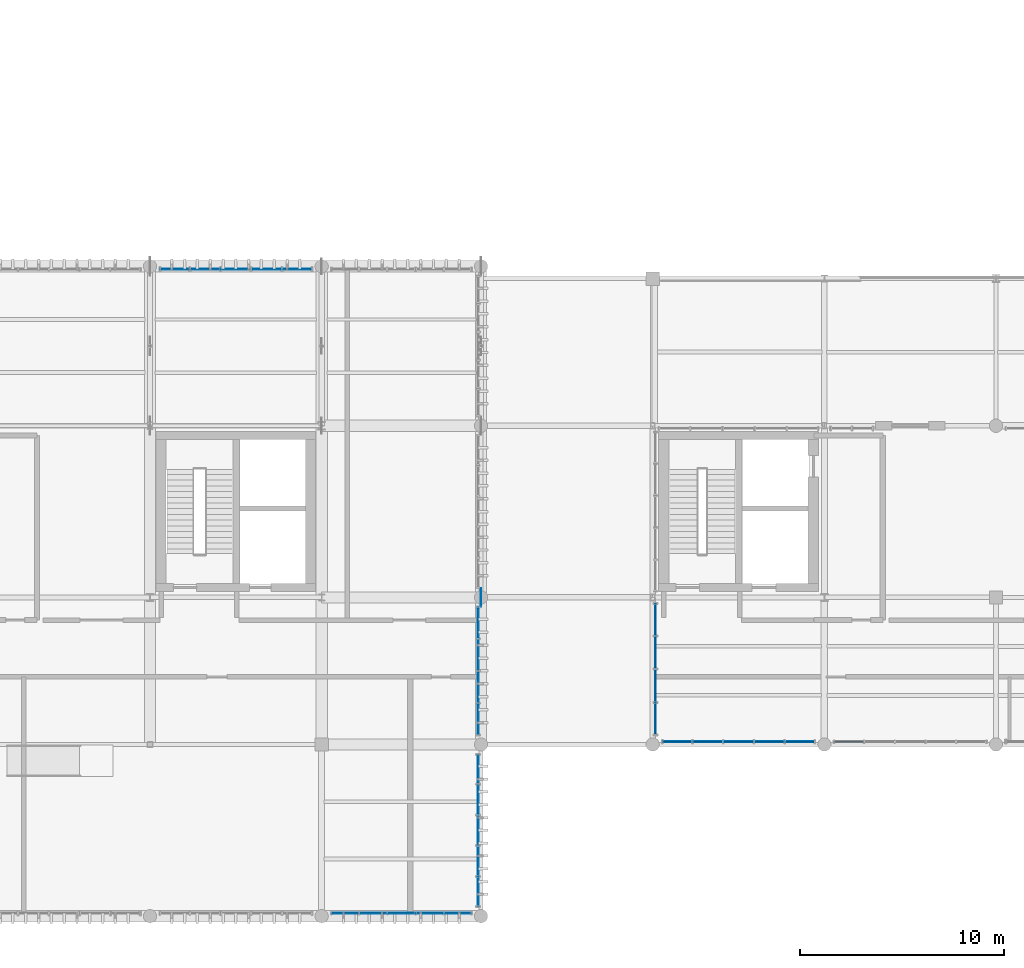
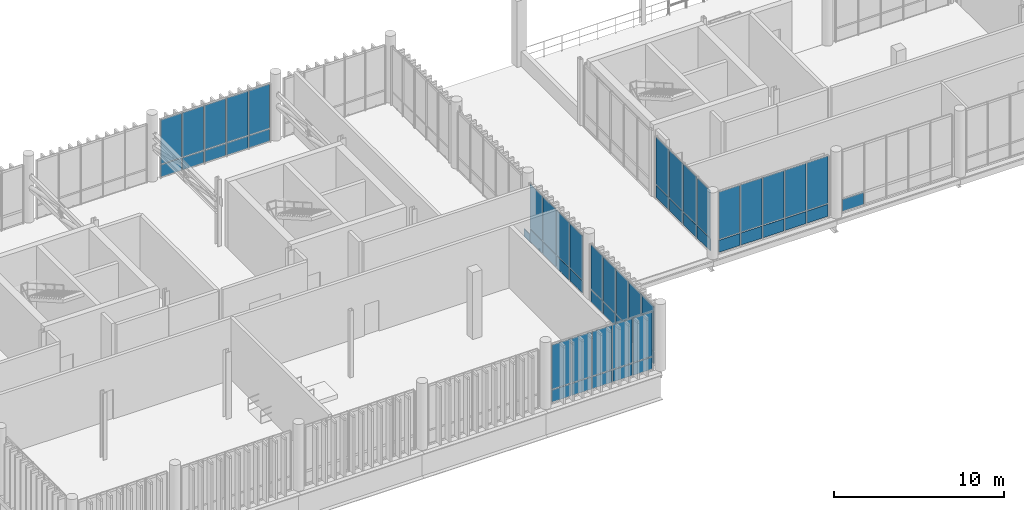
# One storey, part 61 of 81: 58 plates, 7 elements without a shape of their own.
"""IFC4 building model written with IfcOpenShell, lengths in metres."""

from ifc_helpers import new_model, si_unit, direction, frame, frame_2d, origin_with_axes, origin_2d_with_axis, place, context, subcontext, project, spatial, rectangle, extrude, material, layer, layer_set, type_object, element, aggregate, save


model = new_model("IFC4")

# Units and contexts
model_context = context("Model", 3, precision=1e-05, world=origin_with_axes(), true_north=direction((0.0, 1.0)))
body_context = subcontext(model_context, "Body", "Model", "MODEL_VIEW")
ifc_project = project(units=[si_unit("LENGTHUNIT", "METRE"), si_unit("AREAUNIT", "SQUARE_METRE"), si_unit("VOLUMEUNIT", "CUBIC_METRE"), si_unit("PLANEANGLEUNIT", "RADIAN"), si_unit("MASSUNIT", "GRAM", prefix="KILO"), si_unit("THERMODYNAMICTEMPERATUREUNIT", "KELVIN")], contexts=[model_context])

# Site, building, storey
site_placement = place(None, origin_with_axes())
site = spatial("IfcSite", under=ifc_project, at=site_placement, CompositionType="ELEMENT")
building_placement = place(site_placement, origin_with_axes())
building = spatial("IfcBuilding", under=site, at=building_placement, Name="Montbau Bow Law Courts", CompositionType="ELEMENT")
storey_placement = place(building_placement, frame((0.0, 0.0, 24.9), z_axis=(0.0, 0.0, 1.0), x_axis=(1.0, 0.0, 0.0)))
storey = spatial("IfcBuildingStorey", under=building, at=storey_placement, Name="L05", CompositionType="ELEMENT", Elevation=24.9)

# Curtain wall, plates
ifc_material_1 = material(Name="Thermally Broken Extruded Aluminium AA 6063-T6", Category="aluminium")
curtain_wall_type_1 = type_object("IfcCurtainWallType", Name="CW-TRC-02", PredefinedType="NOTDEFINED", material=ifc_material_1)
curtain_wall_1_placement = place(None, frame((39.44, 30.74, 24.9), z_axis=(0.0, 0.0, 1.0), x_axis=(1.0, 0.0, 0.0)))
curtain_wall_1 = element("IfcCurtainWall", 1, at=curtain_wall_1_placement, inside=storey, type_object=curtain_wall_type_1, Name="CW-L05-080:cw_0080", PredefinedType="NOTDEFINED")
ifc_material_2 = material(Name="Triple-Glazed Low-E Argon Insulating Glass Unit", Category="glass")
ifc_layer_1 = layer(ifc_material_2, 0.044, Name="Curtain Panel", Category="glass")
ifc_layer_set_1 = layer_set([ifc_layer_1], Name="Triple-Glazed Low-E Argon Insulating Glass Unit")
plate_type_1 = type_object("IfcPlateType", Name="PL-CWP-01", PredefinedType="CURTAIN_PANEL", material=ifc_layer_set_1)
plate_1_placement = place(None, frame((39.502, 30.74, 25.882), z_axis=(0.0, -1.0, 0.0), x_axis=(1.0, 0.0, 0.0)))
plate_1 = element("IfcPlate", 2, at=plate_1_placement, type_object=plate_type_1, Name="CW-L05-080-P01-2:cw_0080_P01_2", PredefinedType="CURTAIN_PANEL", context=body_context, shape_type="SweptSolid", body=[
    extrude(rectangle(XDim=1.29, YDim=3.176, at=frame_2d((0.645, 1.588), x_axis=(1.0, 0.0))), frame((0.0, 0.0, -0.022), z_axis=(0.0, 0.0, 1.0), x_axis=(1.0, 0.0, 0.0)), (0.0, 0.0, 1.0), 0.044),
])
plate_2_placement = place(None, frame((40.856, 30.74, 25.882), z_axis=(0.0, -1.0, 0.0), x_axis=(1.0, 0.0, 0.0)))
plate_2 = element("IfcPlate", 3, at=plate_2_placement, type_object=plate_type_1, Name="CW-L05-080-P02-2:cw_0080_P02_2", PredefinedType="CURTAIN_PANEL", context=body_context, shape_type="SweptSolid", body=[
    extrude(rectangle(XDim=1.32, YDim=3.176, at=frame_2d((0.66, 1.588), x_axis=(1.0, 0.0))), frame((0.0, 0.0, -0.022), z_axis=(0.0, 0.0, 1.0), x_axis=(1.0, 0.0, 0.0)), (0.0, 0.0, 1.0), 0.044),
])
plate_3_placement = place(None, frame((42.24, 30.74, 25.882), z_axis=(0.0, -1.0, 0.0), x_axis=(1.0, 0.0, 0.0)))
plate_3 = element("IfcPlate", 4, at=plate_3_placement, type_object=plate_type_1, Name="CW-L05-080-P03-2:cw_0080_P03_2", PredefinedType="CURTAIN_PANEL", context=body_context, shape_type="SweptSolid", body=[
    extrude(rectangle(XDim=1.32, YDim=3.176, at=frame_2d((0.66, 1.588), x_axis=(1.0, 0.0))), frame((0.0, 0.0, -0.022), z_axis=(0.0, 0.0, 1.0), x_axis=(1.0, 0.0, 0.0)), (0.0, 0.0, 1.0), 0.044),
])
plate_4_placement = place(None, frame((43.624, 30.74, 25.882), z_axis=(0.0, -1.0, 0.0), x_axis=(1.0, 0.0, 0.0)))
plate_4 = element("IfcPlate", 5, at=plate_4_placement, type_object=plate_type_1, Name="CW-L05-080-P04-2:cw_0080_P04_2", PredefinedType="CURTAIN_PANEL", context=body_context, shape_type="SweptSolid", body=[
    extrude(rectangle(XDim=1.32, YDim=3.176, at=frame_2d((0.66, 1.588), x_axis=(1.0, 0.0))), frame((0.0, 0.0, -0.022), z_axis=(0.0, 0.0, 1.0), x_axis=(1.0, 0.0, 0.0)), (0.0, 0.0, 1.0), 0.044),
])
plate_5_placement = place(None, frame((45.008, 30.74, 25.882), z_axis=(0.0, -1.0, 0.0), x_axis=(1.0, 0.0, 0.0)))
plate_5 = element("IfcPlate", 6, at=plate_5_placement, type_object=plate_type_1, Name="CW-L05-080-P05-2:cw_0080_P05_2", PredefinedType="CURTAIN_PANEL", context=body_context, shape_type="SweptSolid", body=[
    extrude(rectangle(XDim=1.29, YDim=3.176, at=frame_2d((0.645, 1.588), x_axis=(1.0, 0.0))), frame((0.0, 0.0, -0.022), z_axis=(0.0, 0.0, 1.0), x_axis=(1.0, 0.0, 0.0)), (0.0, 0.0, 1.0), 0.044),
])

curtain_wall_2_placement = place(None, frame((31.04, 62.26, 24.9), z_axis=(0.0, 0.0, 1.0), x_axis=(1.0, 0.0, 0.0)))
curtain_wall_2 = element("IfcCurtainWall", 7, at=curtain_wall_2_placement, inside=storey, type_object=curtain_wall_type_1, Name="CW-L05-084:cw_0084", PredefinedType="NOTDEFINED")
plate_6_placement = place(None, frame((31.116, 62.26, 25.882), z_axis=(0.0, -1.0, 0.0), x_axis=(1.0, 0.0, 0.0)))
plate_6 = element("IfcPlate", 8, at=plate_6_placement, type_object=plate_type_1, Name="CW-L05-084-P01-2:cw_0084_P01_2", PredefinedType="CURTAIN_PANEL", context=body_context, shape_type="SweptSolid", body=[
    extrude(rectangle(XDim=1.388, YDim=3.176, at=frame_2d((0.694, 1.588), x_axis=(1.0, 0.0))), frame((0.0, 0.0, -0.022), z_axis=(0.0, 0.0, 1.0), x_axis=(1.0, 0.0, 0.0)), (0.0, 0.0, 1.0), 0.044),
])
plate_7_placement = place(None, frame((32.584, 62.26, 25.882), z_axis=(0.0, -1.0, 0.0), x_axis=(1.0, 0.0, 0.0)))
plate_7 = element("IfcPlate", 9, at=plate_7_placement, type_object=plate_type_1, Name="CW-L05-084-P02-2:cw_0084_P02_2", PredefinedType="CURTAIN_PANEL", context=body_context, shape_type="SweptSolid", body=[
    extrude(rectangle(XDim=1.425, YDim=3.176, at=frame_2d((0.7125, 1.588), x_axis=(1.0, 0.0))), frame((0.0, 0.0, -0.022), z_axis=(0.0, 0.0, 1.0), x_axis=(1.0, 0.0, 0.0)), (0.0, 0.0, 1.0), 0.044),
])
plate_8_placement = place(None, frame((34.087, 62.26, 25.882), z_axis=(0.0, -1.0, 0.0), x_axis=(1.0, 0.0, 0.0)))
plate_8 = element("IfcPlate", 10, at=plate_8_placement, type_object=plate_type_1, Name="CW-L05-084-P03-2:cw_0084_P03_2", PredefinedType="CURTAIN_PANEL", context=body_context, shape_type="SweptSolid", body=[
    extrude(rectangle(XDim=1.426, YDim=3.176, at=frame_2d((0.713, 1.588), x_axis=(1.0, 0.0))), frame((0.0, 0.0, -0.022), z_axis=(0.0, 0.0, 1.0), x_axis=(1.0, 0.0, 0.0)), (0.0, 0.0, 1.0), 0.044),
])
plate_9_placement = place(None, frame((35.591, 62.26, 25.882), z_axis=(0.0, -1.0, 0.0), x_axis=(1.0, 0.0, 0.0)))
plate_9 = element("IfcPlate", 11, at=plate_9_placement, type_object=plate_type_1, Name="CW-L05-084-P04-2:cw_0084_P04_2", PredefinedType="CURTAIN_PANEL", context=body_context, shape_type="SweptSolid", body=[
    extrude(rectangle(XDim=1.426, YDim=3.176, at=frame_2d((0.713, 1.588), x_axis=(1.0, 0.0))), frame((0.0, 0.0, -0.022), z_axis=(0.0, 0.0, 1.0), x_axis=(1.0, 0.0, 0.0)), (0.0, 0.0, 1.0), 0.044),
])
plate_10_placement = place(None, frame((37.095, 62.26, 25.882), z_axis=(0.0, -1.0, 0.0), x_axis=(1.0, 0.0, 0.0)))
plate_10 = element("IfcPlate", 12, at=plate_10_placement, type_object=plate_type_1, Name="CW-L05-084-P05-2:cw_0084_P05_2", PredefinedType="CURTAIN_PANEL", context=body_context, shape_type="SweptSolid", body=[
    extrude(rectangle(XDim=1.389, YDim=3.176, at=frame_2d((0.6945, 1.588), x_axis=(1.0, 0.0))), frame((0.0, 0.0, -0.022), z_axis=(0.0, 0.0, 1.0), x_axis=(1.0, 0.0, 0.0)), (0.0, 0.0, 1.0), 0.044),
])

curtain_wall_3_placement = place(None, frame((46.66, 31.04, 24.9), z_axis=(0.0, 0.0, 1.0), x_axis=(1.0, 0.0, 0.0)))
curtain_wall_3 = element("IfcCurtainWall", 13, at=curtain_wall_3_placement, inside=storey, type_object=curtain_wall_type_1, Name="CW-L05-090:cw_0090", PredefinedType="NOTDEFINED")
plate_11_placement = place(None, frame((46.66, 31.116, 25.882), z_axis=(1.0, 0.0, 0.0), x_axis=(0.0, 1.0, 0.0)))
plate_11 = element("IfcPlate", 14, at=plate_11_placement, type_object=plate_type_1, Name="CW-L05-090-P01-2:cw_0090_P01_2", PredefinedType="CURTAIN_PANEL", context=body_context, shape_type="SweptSolid", body=[
    extrude(rectangle(XDim=1.388, YDim=3.176, at=frame_2d((0.694, 1.588), x_axis=(1.0, 0.0))), frame((0.0, 0.0, -0.022), z_axis=(0.0, 0.0, 1.0), x_axis=(1.0, 0.0, 0.0)), (0.0, 0.0, 1.0), 0.044),
])
plate_12_placement = place(None, frame((46.66, 32.584, 25.882), z_axis=(1.0, 0.0, 0.0), x_axis=(0.0, 1.0, 0.0)))
plate_12 = element("IfcPlate", 15, at=plate_12_placement, type_object=plate_type_1, Name="CW-L05-090-P02-2:cw_0090_P02_2", PredefinedType="CURTAIN_PANEL", context=body_context, shape_type="SweptSolid", body=[
    extrude(rectangle(XDim=1.425, YDim=3.176, at=frame_2d((0.7125, 1.588), x_axis=(1.0, 0.0))), frame((0.0, 0.0, -0.022), z_axis=(0.0, 0.0, 1.0), x_axis=(1.0, 0.0, 0.0)), (0.0, 0.0, 1.0), 0.044),
])
plate_13_placement = place(None, frame((46.66, 34.087, 25.882), z_axis=(1.0, 0.0, 0.0), x_axis=(0.0, 1.0, 0.0)))
plate_13 = element("IfcPlate", 16, at=plate_13_placement, type_object=plate_type_1, Name="CW-L05-090-P03-2:cw_0090_P03_2", PredefinedType="CURTAIN_PANEL", context=body_context, shape_type="SweptSolid", body=[
    extrude(rectangle(XDim=1.426, YDim=3.176, at=frame_2d((0.713, 1.588), x_axis=(1.0, 0.0))), frame((0.0, 0.0, -0.022), z_axis=(0.0, 0.0, 1.0), x_axis=(1.0, 0.0, 0.0)), (0.0, 0.0, 1.0), 0.044),
])
plate_14_placement = place(None, frame((46.66, 35.591, 25.882), z_axis=(1.0, 0.0, 0.0), x_axis=(0.0, 1.0, 0.0)))
plate_14 = element("IfcPlate", 17, at=plate_14_placement, type_object=plate_type_1, Name="CW-L05-090-P04-2:cw_0090_P04_2", PredefinedType="CURTAIN_PANEL", context=body_context, shape_type="SweptSolid", body=[
    extrude(rectangle(XDim=1.426, YDim=3.176, at=frame_2d((0.713, 1.588), x_axis=(1.0, 0.0))), frame((0.0, 0.0, -0.022), z_axis=(0.0, 0.0, 1.0), x_axis=(1.0, 0.0, 0.0)), (0.0, 0.0, 1.0), 0.044),
])
plate_15_placement = place(None, frame((46.66, 37.095, 25.882), z_axis=(1.0, 0.0, 0.0), x_axis=(0.0, 1.0, 0.0)))
plate_15 = element("IfcPlate", 18, at=plate_15_placement, type_object=plate_type_1, Name="CW-L05-090-P05-2:cw_0090_P05_2", PredefinedType="CURTAIN_PANEL", context=body_context, shape_type="SweptSolid", body=[
    extrude(rectangle(XDim=1.389, YDim=3.176, at=frame_2d((0.6945, 1.588), x_axis=(1.0, 0.0))), frame((0.0, 0.0, -0.022), z_axis=(0.0, 0.0, 1.0), x_axis=(1.0, 0.0, 0.0)), (0.0, 0.0, 1.0), 0.044),
])

curtain_wall_4_placement = place(None, frame((46.66, 39.44, 24.9), z_axis=(0.0, 0.0, 1.0), x_axis=(1.0, 0.0, 0.0)))
curtain_wall_4 = element("IfcCurtainWall", 19, at=curtain_wall_4_placement, inside=storey, type_object=curtain_wall_type_1, Name="CW-L05-091:cw_0091", PredefinedType="NOTDEFINED")
plate_16_placement = place(None, frame((46.66, 39.508, 25.88), z_axis=(1.0, 0.0, 0.0), x_axis=(0.0, 1.0, 0.0)))
plate_16 = element("IfcPlate", 20, at=plate_16_placement, type_object=plate_type_1, Name="CW-L05-091-P01-2:cw_0091_P01_2", PredefinedType="CURTAIN_PANEL", context=body_context, shape_type="SweptSolid", body=[
    extrude(rectangle(XDim=1.478, YDim=3.184, at=frame_2d((0.739, 1.592), x_axis=(1.0, 0.0))), frame((0.0, 0.0, -0.022), z_axis=(0.0, 0.0, 1.0), x_axis=(1.0, 0.0, 0.0)), (0.0, 0.0, 1.0), 0.044),
])
plate_17_placement = place(None, frame((46.66, 41.055, 25.88), z_axis=(1.0, 0.0, 0.0), x_axis=(0.0, 1.0, 0.0)))
plate_17 = element("IfcPlate", 21, at=plate_17_placement, type_object=plate_type_1, Name="CW-L05-091-P02-2:cw_0091_P02_2", PredefinedType="CURTAIN_PANEL", context=body_context, shape_type="SweptSolid", body=[
    extrude(rectangle(XDim=1.511, YDim=3.184, at=frame_2d((0.7555, 1.592), x_axis=(1.0, 0.0))), frame((0.0, 0.0, -0.022), z_axis=(0.0, 0.0, 1.0), x_axis=(1.0, 0.0, 0.0)), (0.0, 0.0, 1.0), 0.044),
])
plate_18_placement = place(None, frame((46.66, 42.635, 25.88), z_axis=(1.0, 0.0, 0.0), x_axis=(0.0, 1.0, 0.0)))
plate_18 = element("IfcPlate", 22, at=plate_18_placement, type_object=plate_type_1, Name="CW-L05-091-P03-2:cw_0091_P03_2", PredefinedType="CURTAIN_PANEL", context=body_context, shape_type="SweptSolid", body=[
    extrude(rectangle(XDim=1.511, YDim=3.184, at=frame_2d((0.7555, 1.592), x_axis=(1.0, 0.0))), frame((0.0, 0.0, -0.022), z_axis=(0.0, 0.0, 1.0), x_axis=(1.0, 0.0, 0.0)), (0.0, 0.0, 1.0), 0.044),
])
plate_19_placement = place(None, frame((46.66, 44.214, 25.88), z_axis=(1.0, 0.0, 0.0), x_axis=(0.0, 1.0, 0.0)))
plate_19 = element("IfcPlate", 23, at=plate_19_placement, type_object=plate_type_1, Name="CW-L05-091-P04-2:cw_0091_P04_2", PredefinedType="CURTAIN_PANEL", context=body_context, shape_type="SweptSolid", body=[
    extrude(rectangle(XDim=1.48, YDim=3.184, at=frame_2d((0.74, 1.592), x_axis=(1.0, 0.0))), frame((0.0, 0.0, -0.022), z_axis=(0.0, 0.0, 1.0), x_axis=(1.0, 0.0, 0.0)), (0.0, 0.0, 1.0), 0.044),
])

# Plate
ifc_material_3 = material(Name="Insulated Ceramic-Frit Spandrel Glazing Unit", Category="glass")
ifc_layer_2 = layer(ifc_material_3, 0.056, Name="Curtain Panel", Category="glass")
ifc_layer_set_2 = layer_set([ifc_layer_2], Name="Insulated Ceramic-Frit Spandrel Glazing Unit")
plate_type_2 = type_object("IfcPlateType", Name="PL-CWP-02", PredefinedType="CURTAIN_PANEL", material=ifc_layer_set_2)
plate_20_placement = place(None, frame((39.502, 30.74, 24.962), z_axis=(0.0, -1.0, 0.0), x_axis=(1.0, 0.0, 0.0)))
plate_20 = element("IfcPlate", 24, at=plate_20_placement, type_object=plate_type_2, Name="CW-L05-080-P01-1:cw_0080_P01_1", PredefinedType="CURTAIN_PANEL", context=body_context, shape_type="SweptSolid", body=[
    extrude(rectangle(XDim=1.29, YDim=0.856, at=frame_2d((0.645, 0.428), x_axis=(1.0, 0.0))), frame((0.0, 0.0, -0.028), z_axis=(0.0, 0.0, 1.0), x_axis=(1.0, 0.0, 0.0)), (0.0, 0.0, 1.0), 0.056),
])

plate_21_placement = place(None, frame((40.856, 30.74, 24.962), z_axis=(0.0, -1.0, 0.0), x_axis=(1.0, 0.0, 0.0)))
plate_21 = element("IfcPlate", 25, at=plate_21_placement, type_object=plate_type_2, Name="CW-L05-080-P02-1:cw_0080_P02_1", PredefinedType="CURTAIN_PANEL", context=body_context, shape_type="SweptSolid", body=[
    extrude(rectangle(XDim=1.32, YDim=0.856, at=frame_2d((0.66, 0.428), x_axis=(1.0, 0.0))), frame((0.0, 0.0, -0.028), z_axis=(0.0, 0.0, 1.0), x_axis=(1.0, 0.0, 0.0)), (0.0, 0.0, 1.0), 0.056),
])

plate_22_placement = place(None, frame((42.24, 30.74, 24.962), z_axis=(0.0, -1.0, 0.0), x_axis=(1.0, 0.0, 0.0)))
plate_22 = element("IfcPlate", 26, at=plate_22_placement, type_object=plate_type_2, Name="CW-L05-080-P03-1:cw_0080_P03_1", PredefinedType="CURTAIN_PANEL", context=body_context, shape_type="SweptSolid", body=[
    extrude(rectangle(XDim=1.32, YDim=0.856, at=frame_2d((0.66, 0.428), x_axis=(1.0, 0.0))), frame((0.0, 0.0, -0.028), z_axis=(0.0, 0.0, 1.0), x_axis=(1.0, 0.0, 0.0)), (0.0, 0.0, 1.0), 0.056),
])

plate_23_placement = place(None, frame((43.624, 30.74, 24.962), z_axis=(0.0, -1.0, 0.0), x_axis=(1.0, 0.0, 0.0)))
plate_23 = element("IfcPlate", 27, at=plate_23_placement, type_object=plate_type_2, Name="CW-L05-080-P04-1:cw_0080_P04_1", PredefinedType="CURTAIN_PANEL", context=body_context, shape_type="SweptSolid", body=[
    extrude(rectangle(XDim=1.32, YDim=0.856, at=frame_2d((0.66, 0.428), x_axis=(1.0, 0.0))), frame((0.0, 0.0, -0.028), z_axis=(0.0, 0.0, 1.0), x_axis=(1.0, 0.0, 0.0)), (0.0, 0.0, 1.0), 0.056),
])

plate_24_placement = place(None, frame((45.008, 30.74, 24.962), z_axis=(0.0, -1.0, 0.0), x_axis=(1.0, 0.0, 0.0)))
plate_24 = element("IfcPlate", 28, at=plate_24_placement, type_object=plate_type_2, Name="CW-L05-080-P05-1:cw_0080_P05_1", PredefinedType="CURTAIN_PANEL", context=body_context, shape_type="SweptSolid", body=[
    extrude(rectangle(XDim=1.29, YDim=0.856, at=frame_2d((0.645, 0.428), x_axis=(1.0, 0.0))), frame((0.0, 0.0, -0.028), z_axis=(0.0, 0.0, 1.0), x_axis=(1.0, 0.0, 0.0)), (0.0, 0.0, 1.0), 0.056),
])

aggregate(curtain_wall_1, [plate_20, plate_1, plate_21, plate_2, plate_22, plate_3, plate_23, plate_4, plate_24, plate_5])

plate_25_placement = place(None, frame((31.116, 62.26, 24.962), z_axis=(0.0, -1.0, 0.0), x_axis=(1.0, 0.0, 0.0)))
plate_25 = element("IfcPlate", 29, at=plate_25_placement, type_object=plate_type_2, Name="CW-L05-084-P01-1:cw_0084_P01_1", PredefinedType="CURTAIN_PANEL", context=body_context, shape_type="SweptSolid", body=[
    extrude(rectangle(XDim=1.388, YDim=0.856, at=frame_2d((0.694, 0.428), x_axis=(1.0, 0.0))), frame((0.0, 0.0, -0.028), z_axis=(0.0, 0.0, 1.0), x_axis=(1.0, 0.0, 0.0)), (0.0, 0.0, 1.0), 0.056),
])

plate_26_placement = place(None, frame((32.584, 62.26, 24.962), z_axis=(0.0, -1.0, 0.0), x_axis=(1.0, 0.0, 0.0)))
plate_26 = element("IfcPlate", 30, at=plate_26_placement, type_object=plate_type_2, Name="CW-L05-084-P02-1:cw_0084_P02_1", PredefinedType="CURTAIN_PANEL", context=body_context, shape_type="SweptSolid", body=[
    extrude(rectangle(XDim=1.425, YDim=0.856, at=frame_2d((0.7125, 0.428), x_axis=(1.0, 0.0))), frame((0.0, 0.0, -0.028), z_axis=(0.0, 0.0, 1.0), x_axis=(1.0, 0.0, 0.0)), (0.0, 0.0, 1.0), 0.056),
])

plate_27_placement = place(None, frame((34.087, 62.26, 24.962), z_axis=(0.0, -1.0, 0.0), x_axis=(1.0, 0.0, 0.0)))
plate_27 = element("IfcPlate", 31, at=plate_27_placement, type_object=plate_type_2, Name="CW-L05-084-P03-1:cw_0084_P03_1", PredefinedType="CURTAIN_PANEL", context=body_context, shape_type="SweptSolid", body=[
    extrude(rectangle(XDim=1.426, YDim=0.856, at=frame_2d((0.713, 0.428), x_axis=(1.0, 0.0))), frame((0.0, 0.0, -0.028), z_axis=(0.0, 0.0, 1.0), x_axis=(1.0, 0.0, 0.0)), (0.0, 0.0, 1.0), 0.056),
])

plate_28_placement = place(None, frame((35.591, 62.26, 24.962), z_axis=(0.0, -1.0, 0.0), x_axis=(1.0, 0.0, 0.0)))
plate_28 = element("IfcPlate", 32, at=plate_28_placement, type_object=plate_type_2, Name="CW-L05-084-P04-1:cw_0084_P04_1", PredefinedType="CURTAIN_PANEL", context=body_context, shape_type="SweptSolid", body=[
    extrude(rectangle(XDim=1.426, YDim=0.856, at=frame_2d((0.713, 0.428), x_axis=(1.0, 0.0))), frame((0.0, 0.0, -0.028), z_axis=(0.0, 0.0, 1.0), x_axis=(1.0, 0.0, 0.0)), (0.0, 0.0, 1.0), 0.056),
])

plate_29_placement = place(None, frame((37.095, 62.26, 24.962), z_axis=(0.0, -1.0, 0.0), x_axis=(1.0, 0.0, 0.0)))
plate_29 = element("IfcPlate", 33, at=plate_29_placement, type_object=plate_type_2, Name="CW-L05-084-P05-1:cw_0084_P05_1", PredefinedType="CURTAIN_PANEL", context=body_context, shape_type="SweptSolid", body=[
    extrude(rectangle(XDim=1.389, YDim=0.856, at=frame_2d((0.6945, 0.428), x_axis=(1.0, 0.0))), frame((0.0, 0.0, -0.028), z_axis=(0.0, 0.0, 1.0), x_axis=(1.0, 0.0, 0.0)), (0.0, 0.0, 1.0), 0.056),
])

aggregate(curtain_wall_2, [plate_25, plate_6, plate_26, plate_7, plate_27, plate_8, plate_28, plate_9, plate_29, plate_10])

plate_30_placement = place(None, frame((46.66, 31.116, 24.962), z_axis=(1.0, 0.0, 0.0), x_axis=(0.0, 1.0, 0.0)))
plate_30 = element("IfcPlate", 34, at=plate_30_placement, type_object=plate_type_2, Name="CW-L05-090-P01-1:cw_0090_P01_1", PredefinedType="CURTAIN_PANEL", context=body_context, shape_type="SweptSolid", body=[
    extrude(rectangle(XDim=1.388, YDim=0.856, at=frame_2d((0.694, 0.428), x_axis=(1.0, 0.0))), frame((0.0, 0.0, -0.028), z_axis=(0.0, 0.0, 1.0), x_axis=(1.0, 0.0, 0.0)), (0.0, 0.0, 1.0), 0.056),
])

plate_31_placement = place(None, frame((46.66, 32.584, 24.962), z_axis=(1.0, 0.0, 0.0), x_axis=(0.0, 1.0, 0.0)))
plate_31 = element("IfcPlate", 35, at=plate_31_placement, type_object=plate_type_2, Name="CW-L05-090-P02-1:cw_0090_P02_1", PredefinedType="CURTAIN_PANEL", context=body_context, shape_type="SweptSolid", body=[
    extrude(rectangle(XDim=1.425, YDim=0.856, at=frame_2d((0.7125, 0.428), x_axis=(1.0, 0.0))), frame((0.0, 0.0, -0.028), z_axis=(0.0, 0.0, 1.0), x_axis=(1.0, 0.0, 0.0)), (0.0, 0.0, 1.0), 0.056),
])

plate_32_placement = place(None, frame((46.66, 34.087, 24.962), z_axis=(1.0, 0.0, 0.0), x_axis=(0.0, 1.0, 0.0)))
plate_32 = element("IfcPlate", 36, at=plate_32_placement, type_object=plate_type_2, Name="CW-L05-090-P03-1:cw_0090_P03_1", PredefinedType="CURTAIN_PANEL", context=body_context, shape_type="SweptSolid", body=[
    extrude(rectangle(XDim=1.426, YDim=0.856, at=frame_2d((0.713, 0.428), x_axis=(1.0, 0.0))), frame((0.0, 0.0, -0.028), z_axis=(0.0, 0.0, 1.0), x_axis=(1.0, 0.0, 0.0)), (0.0, 0.0, 1.0), 0.056),
])

plate_33_placement = place(None, frame((46.66, 35.591, 24.962), z_axis=(1.0, 0.0, 0.0), x_axis=(0.0, 1.0, 0.0)))
plate_33 = element("IfcPlate", 37, at=plate_33_placement, type_object=plate_type_2, Name="CW-L05-090-P04-1:cw_0090_P04_1", PredefinedType="CURTAIN_PANEL", context=body_context, shape_type="SweptSolid", body=[
    extrude(rectangle(XDim=1.426, YDim=0.856, at=frame_2d((0.713, 0.428), x_axis=(1.0, 0.0))), frame((0.0, 0.0, -0.028), z_axis=(0.0, 0.0, 1.0), x_axis=(1.0, 0.0, 0.0)), (0.0, 0.0, 1.0), 0.056),
])

plate_34_placement = place(None, frame((46.66, 37.095, 24.962), z_axis=(1.0, 0.0, 0.0), x_axis=(0.0, 1.0, 0.0)))
plate_34 = element("IfcPlate", 38, at=plate_34_placement, type_object=plate_type_2, Name="CW-L05-090-P05-1:cw_0090_P05_1", PredefinedType="CURTAIN_PANEL", context=body_context, shape_type="SweptSolid", body=[
    extrude(rectangle(XDim=1.389, YDim=0.856, at=frame_2d((0.6945, 0.428), x_axis=(1.0, 0.0))), frame((0.0, 0.0, -0.028), z_axis=(0.0, 0.0, 1.0), x_axis=(1.0, 0.0, 0.0)), (0.0, 0.0, 1.0), 0.056),
])

aggregate(curtain_wall_3, [plate_30, plate_11, plate_31, plate_12, plate_32, plate_13, plate_33, plate_14, plate_34, plate_15])

plate_35_placement = place(None, frame((46.66, 39.508, 24.956), z_axis=(1.0, 0.0, 0.0), x_axis=(0.0, 1.0, 0.0)))
plate_35 = element("IfcPlate", 39, at=plate_35_placement, type_object=plate_type_2, Name="CW-L05-091-P01-1:cw_0091_P01_1", PredefinedType="CURTAIN_PANEL", context=body_context, shape_type="SweptSolid", body=[
    extrude(rectangle(XDim=1.478, YDim=0.865, at=frame_2d((0.739, 0.4325), x_axis=(1.0, 0.0))), frame((0.0, 0.0, -0.028), z_axis=(0.0, 0.0, 1.0), x_axis=(1.0, 0.0, 0.0)), (0.0, 0.0, 1.0), 0.056),
])

plate_36_placement = place(None, frame((46.66, 41.055, 24.956), z_axis=(1.0, 0.0, 0.0), x_axis=(0.0, 1.0, 0.0)))
plate_36 = element("IfcPlate", 40, at=plate_36_placement, type_object=plate_type_2, Name="CW-L05-091-P02-1:cw_0091_P02_1", PredefinedType="CURTAIN_PANEL", context=body_context, shape_type="SweptSolid", body=[
    extrude(rectangle(XDim=1.511, YDim=0.865, at=frame_2d((0.7555, 0.4325), x_axis=(1.0, 0.0))), frame((0.0, 0.0, -0.028), z_axis=(0.0, 0.0, 1.0), x_axis=(1.0, 0.0, 0.0)), (0.0, 0.0, 1.0), 0.056),
])

plate_37_placement = place(None, frame((46.66, 42.635, 24.956), z_axis=(1.0, 0.0, 0.0), x_axis=(0.0, 1.0, 0.0)))
plate_37 = element("IfcPlate", 41, at=plate_37_placement, type_object=plate_type_2, Name="CW-L05-091-P03-1:cw_0091_P03_1", PredefinedType="CURTAIN_PANEL", context=body_context, shape_type="SweptSolid", body=[
    extrude(rectangle(XDim=1.511, YDim=0.865, at=frame_2d((0.7555, 0.4325), x_axis=(1.0, 0.0))), frame((0.0, 0.0, -0.028), z_axis=(0.0, 0.0, 1.0), x_axis=(1.0, 0.0, 0.0)), (0.0, 0.0, 1.0), 0.056),
])

plate_38_placement = place(None, frame((46.66, 44.214, 24.956), z_axis=(1.0, 0.0, 0.0), x_axis=(0.0, 1.0, 0.0)))
plate_38 = element("IfcPlate", 42, at=plate_38_placement, type_object=plate_type_2, Name="CW-L05-091-P04-1:cw_0091_P04_1", PredefinedType="CURTAIN_PANEL", context=body_context, shape_type="SweptSolid", body=[
    extrude(rectangle(XDim=1.48, YDim=0.865, at=frame_2d((0.74, 0.4325), x_axis=(1.0, 0.0))), frame((0.0, 0.0, -0.028), z_axis=(0.0, 0.0, 1.0), x_axis=(1.0, 0.0, 0.0)), (0.0, 0.0, 1.0), 0.056),
])

aggregate(curtain_wall_4, [plate_35, plate_16, plate_36, plate_17, plate_37, plate_18, plate_38, plate_19])

# Curtain wall, plates
curtain_wall_type_2 = type_object("IfcCurtainWallType", Name="CW-NCK-02", PredefinedType="NOTDEFINED", material=ifc_material_1)
curtain_wall_5_placement = place(None, frame((55.64, 39.14, 24.9), z_axis=(0.0, 0.0, 1.0), x_axis=(1.0, 0.0, 0.0)))
curtain_wall_5 = element("IfcCurtainWall", 43, at=curtain_wall_5_placement, inside=storey, type_object=curtain_wall_type_2, Name="CW-L05-211:cw_0211", PredefinedType="NOTDEFINED")
plate_39_placement = place(None, frame((55.708, 39.14, 24.956), z_axis=(0.0, -1.0, 0.0), x_axis=(1.0, 0.0, 0.0)))
plate_39 = element("IfcPlate", 44, at=plate_39_placement, type_object=plate_type_2, Name="CW-L05-211-P01-1:cw_0211_P01_1", PredefinedType="CURTAIN_PANEL", context=body_context, shape_type="SweptSolid", body=[
    extrude(rectangle(XDim=1.402, YDim=0.865, at=frame_2d((0.701, 0.4325), x_axis=(1.0, 0.0))), frame((0.0, 0.0, -0.028), z_axis=(0.0, 0.0, 1.0), x_axis=(1.0, 0.0, 0.0)), (0.0, 0.0, 1.0), 0.056),
])
plate_40_placement = place(None, frame((57.178, 39.14, 24.956), z_axis=(0.0, -1.0, 0.0), x_axis=(1.0, 0.0, 0.0)))
plate_40 = element("IfcPlate", 45, at=plate_40_placement, type_object=plate_type_2, Name="CW-L05-211-P02-1:cw_0211_P02_1", PredefinedType="CURTAIN_PANEL", context=body_context, shape_type="SweptSolid", body=[
    extrude(rectangle(XDim=1.436, YDim=0.865, at=frame_2d((0.718, 0.4325), x_axis=(1.0, 0.0))), frame((0.0, 0.0, -0.028), z_axis=(0.0, 0.0, 1.0), x_axis=(1.0, 0.0, 0.0)), (0.0, 0.0, 1.0), 0.056),
])
plate_41_placement = place(None, frame((58.682, 39.14, 24.956), z_axis=(0.0, -1.0, 0.0), x_axis=(1.0, 0.0, 0.0)))
plate_41 = element("IfcPlate", 46, at=plate_41_placement, type_object=plate_type_2, Name="CW-L05-211-P03-1:cw_0211_P03_1", PredefinedType="CURTAIN_PANEL", context=body_context, shape_type="SweptSolid", body=[
    extrude(rectangle(XDim=1.436, YDim=0.865, at=frame_2d((0.718, 0.4325), x_axis=(1.0, 0.0))), frame((0.0, 0.0, -0.028), z_axis=(0.0, 0.0, 1.0), x_axis=(1.0, 0.0, 0.0)), (0.0, 0.0, 1.0), 0.056),
])
plate_42_placement = place(None, frame((60.186, 39.14, 24.956), z_axis=(0.0, -1.0, 0.0), x_axis=(1.0, 0.0, 0.0)))
plate_42 = element("IfcPlate", 47, at=plate_42_placement, type_object=plate_type_2, Name="CW-L05-211-P04-1:cw_0211_P04_1", PredefinedType="CURTAIN_PANEL", context=body_context, shape_type="SweptSolid", body=[
    extrude(rectangle(XDim=1.436, YDim=0.865, at=frame_2d((0.718, 0.4325), x_axis=(1.0, 0.0))), frame((0.0, 0.0, -0.028), z_axis=(0.0, 0.0, 1.0), x_axis=(1.0, 0.0, 0.0)), (0.0, 0.0, 1.0), 0.056),
])
plate_43_placement = place(None, frame((61.69, 39.14, 24.956), z_axis=(0.0, -1.0, 0.0), x_axis=(1.0, 0.0, 0.0)))
plate_43 = element("IfcPlate", 48, at=plate_43_placement, type_object=plate_type_2, Name="CW-L05-211-P05-1:cw_0211_P05_1", PredefinedType="CURTAIN_PANEL", context=body_context, shape_type="SweptSolid", body=[
    extrude(rectangle(XDim=1.403, YDim=0.865, at=frame_2d((0.7015, 0.4325), x_axis=(1.0, 0.0))), frame((0.0, 0.0, -0.028), z_axis=(0.0, 0.0, 1.0), x_axis=(1.0, 0.0, 0.0)), (0.0, 0.0, 1.0), 0.056),
])

# Curtain wall, plate
curtain_wall_6_placement = place(None, frame((64.04, 39.14, 24.9), z_axis=(0.0, 0.0, 1.0), x_axis=(1.0, 0.0, 0.0)))
curtain_wall_6 = element("IfcCurtainWall", 49, at=curtain_wall_6_placement, inside=storey, type_object=curtain_wall_type_2, Name="CW-L05-212:cw_0212", PredefinedType="NOTDEFINED")
plate_44_placement = place(None, frame((64.102, 39.14, 24.962), z_axis=(0.0, -1.0, 0.0), x_axis=(1.0, 0.0, 0.0)))
plate_44 = element("IfcPlate", 50, at=plate_44_placement, type_object=plate_type_2, Name="CW-L05-212-P01-1:cw_0212_P01_1", PredefinedType="CURTAIN_PANEL", context=body_context, shape_type="SweptSolid", body=[
    extrude(rectangle(XDim=1.41, YDim=0.856, at=frame_2d((0.705, 0.428), x_axis=(1.0, 0.0))), frame((0.0, 0.0, -0.028), z_axis=(0.0, 0.0, 1.0), x_axis=(1.0, 0.0, 0.0)), (0.0, 0.0, 1.0), 0.056),
])
aggregate(curtain_wall_6, [plate_44])

# Curtain wall, plates
curtain_wall_7_placement = place(None, frame((55.34, 39.44, 24.9), z_axis=(0.0, 0.0, 1.0), x_axis=(1.0, 0.0, 0.0)))
curtain_wall_7 = element("IfcCurtainWall", 51, at=curtain_wall_7_placement, inside=storey, type_object=curtain_wall_type_2, Name="CW-L05-219:cw_0219", PredefinedType="NOTDEFINED")
plate_45_placement = place(None, frame((55.34, 39.516, 24.956), z_axis=(1.0, 0.0, 0.0), x_axis=(0.0, 1.0, 0.0)))
plate_45 = element("IfcPlate", 52, at=plate_45_placement, type_object=plate_type_2, Name="CW-L05-219-P01-1:cw_0219_P01_1", PredefinedType="CURTAIN_PANEL", context=body_context, shape_type="SweptSolid", body=[
    extrude(rectangle(XDim=1.507, YDim=0.865, at=frame_2d((0.7535, 0.4325), x_axis=(1.0, 0.0))), frame((0.0, 0.0, -0.028), z_axis=(0.0, 0.0, 1.0), x_axis=(1.0, 0.0, 0.0)), (0.0, 0.0, 1.0), 0.056),
])
plate_46_placement = place(None, frame((55.34, 41.103, 24.956), z_axis=(1.0, 0.0, 0.0), x_axis=(0.0, 1.0, 0.0)))
plate_46 = element("IfcPlate", 53, at=plate_46_placement, type_object=plate_type_2, Name="CW-L05-219-P02-1:cw_0219_P02_1", PredefinedType="CURTAIN_PANEL", context=body_context, shape_type="SweptSolid", body=[
    extrude(rectangle(XDim=1.544, YDim=0.865, at=frame_2d((0.772, 0.4325), x_axis=(1.0, 0.0))), frame((0.0, 0.0, -0.028), z_axis=(0.0, 0.0, 1.0), x_axis=(1.0, 0.0, 0.0)), (0.0, 0.0, 1.0), 0.056),
])
plate_47_placement = place(None, frame((55.34, 42.725, 24.956), z_axis=(1.0, 0.0, 0.0), x_axis=(0.0, 1.0, 0.0)))
plate_47 = element("IfcPlate", 54, at=plate_47_placement, type_object=plate_type_2, Name="CW-L05-219-P03-1:cw_0219_P03_1", PredefinedType="CURTAIN_PANEL", context=body_context, shape_type="SweptSolid", body=[
    extrude(rectangle(XDim=1.545, YDim=0.865, at=frame_2d((0.7725, 0.4325), x_axis=(1.0, 0.0))), frame((0.0, 0.0, -0.028), z_axis=(0.0, 0.0, 1.0), x_axis=(1.0, 0.0, 0.0)), (0.0, 0.0, 1.0), 0.056),
])
plate_48_placement = place(None, frame((55.34, 44.348, 24.956), z_axis=(1.0, 0.0, 0.0), x_axis=(0.0, 1.0, 0.0)))
plate_48 = element("IfcPlate", 55, at=plate_48_placement, type_object=plate_type_2, Name="CW-L05-219-P04-1:cw_0219_P04_1", PredefinedType="CURTAIN_PANEL", context=body_context, shape_type="SweptSolid", body=[
    extrude(rectangle(XDim=1.508, YDim=0.865, at=frame_2d((0.754, 0.4325), x_axis=(1.0, 0.0))), frame((0.0, 0.0, -0.028), z_axis=(0.0, 0.0, 1.0), x_axis=(1.0, 0.0, 0.0)), (0.0, 0.0, 1.0), 0.056),
])

# Plate
ifc_material_4 = material(Name="Triple-Glazed Winter-Garden Vision Unit", Category="glass")
ifc_layer_3 = layer(ifc_material_4, 0.036, Name="Curtain Panel", Category="glass")
ifc_layer_set_3 = layer_set([ifc_layer_3], Name="Triple-Glazed Winter-Garden Vision Unit")
plate_type_3 = type_object("IfcPlateType", Name="PL-CWP-03", PredefinedType="CURTAIN_PANEL", material=ifc_layer_set_3)
plate_49_placement = place(None, frame((55.708, 39.14, 25.88), z_axis=(0.0, -1.0, 0.0), x_axis=(1.0, 0.0, 0.0)))
plate_49 = element("IfcPlate", 56, at=plate_49_placement, type_object=plate_type_3, Name="CW-L05-211-P01-2:cw_0211_P01_2", PredefinedType="CURTAIN_PANEL", context=body_context, shape_type="SweptSolid", body=[
    extrude(rectangle(XDim=1.402, YDim=3.403, at=frame_2d((0.701, 1.7015), x_axis=(1.0, 0.0))), frame((0.0, 0.0, -0.018), z_axis=(0.0, 0.0, 1.0), x_axis=(1.0, 0.0, 0.0)), (0.0, 0.0, 1.0), 0.036),
])

plate_50_placement = place(None, frame((57.178, 39.14, 25.88), z_axis=(0.0, -1.0, 0.0), x_axis=(1.0, 0.0, 0.0)))
plate_50 = element("IfcPlate", 57, at=plate_50_placement, type_object=plate_type_3, Name="CW-L05-211-P02-2:cw_0211_P02_2", PredefinedType="CURTAIN_PANEL", context=body_context, shape_type="SweptSolid", body=[
    extrude(rectangle(XDim=1.436, YDim=3.403, at=frame_2d((0.718, 1.7015), x_axis=(1.0, 0.0))), frame((0.0, 0.0, -0.018), z_axis=(0.0, 0.0, 1.0), x_axis=(1.0, 0.0, 0.0)), (0.0, 0.0, 1.0), 0.036),
])

plate_51_placement = place(None, frame((58.682, 39.14, 25.88), z_axis=(0.0, -1.0, 0.0), x_axis=(1.0, 0.0, 0.0)))
plate_51 = element("IfcPlate", 58, at=plate_51_placement, type_object=plate_type_3, Name="CW-L05-211-P03-2:cw_0211_P03_2", PredefinedType="CURTAIN_PANEL", context=body_context, shape_type="SweptSolid", body=[
    extrude(rectangle(XDim=1.436, YDim=3.403, at=frame_2d((0.718, 1.7015), x_axis=(1.0, 0.0))), frame((0.0, 0.0, -0.018), z_axis=(0.0, 0.0, 1.0), x_axis=(1.0, 0.0, 0.0)), (0.0, 0.0, 1.0), 0.036),
])

plate_52_placement = place(None, frame((60.186, 39.14, 25.88), z_axis=(0.0, -1.0, 0.0), x_axis=(1.0, 0.0, 0.0)))
plate_52 = element("IfcPlate", 59, at=plate_52_placement, type_object=plate_type_3, Name="CW-L05-211-P04-2:cw_0211_P04_2", PredefinedType="CURTAIN_PANEL", context=body_context, shape_type="SweptSolid", body=[
    extrude(rectangle(XDim=1.436, YDim=3.403, at=frame_2d((0.718, 1.7015), x_axis=(1.0, 0.0))), frame((0.0, 0.0, -0.018), z_axis=(0.0, 0.0, 1.0), x_axis=(1.0, 0.0, 0.0)), (0.0, 0.0, 1.0), 0.036),
])

plate_53_placement = place(None, frame((61.69, 39.14, 25.88), z_axis=(0.0, -1.0, 0.0), x_axis=(1.0, 0.0, 0.0)))
plate_53 = element("IfcPlate", 60, at=plate_53_placement, type_object=plate_type_3, Name="CW-L05-211-P05-2:cw_0211_P05_2", PredefinedType="CURTAIN_PANEL", context=body_context, shape_type="SweptSolid", body=[
    extrude(rectangle(XDim=1.403, YDim=3.403, at=frame_2d((0.7015, 1.7015), x_axis=(1.0, 0.0))), frame((0.0, 0.0, -0.018), z_axis=(0.0, 0.0, 1.0), x_axis=(1.0, 0.0, 0.0)), (0.0, 0.0, 1.0), 0.036),
])

aggregate(curtain_wall_5, [plate_39, plate_49, plate_40, plate_50, plate_41, plate_51, plate_42, plate_52, plate_43, plate_53])

plate_54_placement = place(None, frame((55.34, 39.516, 25.88), z_axis=(1.0, 0.0, 0.0), x_axis=(0.0, 1.0, 0.0)))
plate_54 = element("IfcPlate", 61, at=plate_54_placement, type_object=plate_type_3, Name="CW-L05-219-P01-2:cw_0219_P01_2", PredefinedType="CURTAIN_PANEL", context=body_context, shape_type="SweptSolid", body=[
    extrude(rectangle(XDim=1.507, YDim=3.403, at=frame_2d((0.7535, 1.7015), x_axis=(1.0, 0.0))), frame((0.0, 0.0, -0.018), z_axis=(0.0, 0.0, 1.0), x_axis=(1.0, 0.0, 0.0)), (0.0, 0.0, 1.0), 0.036),
])

plate_55_placement = place(None, frame((55.34, 41.103, 25.88), z_axis=(1.0, 0.0, 0.0), x_axis=(0.0, 1.0, 0.0)))
plate_55 = element("IfcPlate", 62, at=plate_55_placement, type_object=plate_type_3, Name="CW-L05-219-P02-2:cw_0219_P02_2", PredefinedType="CURTAIN_PANEL", context=body_context, shape_type="SweptSolid", body=[
    extrude(rectangle(XDim=1.544, YDim=3.403, at=frame_2d((0.772, 1.7015), x_axis=(1.0, 0.0))), frame((0.0, 0.0, -0.018), z_axis=(0.0, 0.0, 1.0), x_axis=(1.0, 0.0, 0.0)), (0.0, 0.0, 1.0), 0.036),
])

plate_56_placement = place(None, frame((55.34, 42.725, 25.88), z_axis=(1.0, 0.0, 0.0), x_axis=(0.0, 1.0, 0.0)))
plate_56 = element("IfcPlate", 63, at=plate_56_placement, type_object=plate_type_3, Name="CW-L05-219-P03-2:cw_0219_P03_2", PredefinedType="CURTAIN_PANEL", context=body_context, shape_type="SweptSolid", body=[
    extrude(rectangle(XDim=1.545, YDim=3.403, at=frame_2d((0.7725, 1.7015), x_axis=(1.0, 0.0))), frame((0.0, 0.0, -0.018), z_axis=(0.0, 0.0, 1.0), x_axis=(1.0, 0.0, 0.0)), (0.0, 0.0, 1.0), 0.036),
])

plate_57_placement = place(None, frame((55.34, 44.348, 25.88), z_axis=(1.0, 0.0, 0.0), x_axis=(0.0, 1.0, 0.0)))
plate_57 = element("IfcPlate", 64, at=plate_57_placement, type_object=plate_type_3, Name="CW-L05-219-P04-2:cw_0219_P04_2", PredefinedType="CURTAIN_PANEL", context=body_context, shape_type="SweptSolid", body=[
    extrude(rectangle(XDim=1.508, YDim=3.403, at=frame_2d((0.754, 1.7015), x_axis=(1.0, 0.0))), frame((0.0, 0.0, -0.018), z_axis=(0.0, 0.0, 1.0), x_axis=(1.0, 0.0, 0.0)), (0.0, 0.0, 1.0), 0.036),
])

aggregate(curtain_wall_7, [plate_45, plate_54, plate_46, plate_55, plate_47, plate_56, plate_48, plate_57])

ifc_material_5 = material(Name="Steel CSA G40.21 Grade 350WT (350 MPa)", Category="steel")
ifc_layer_4 = layer(ifc_material_5, 0.032, Name="Gusset Plate", Category="steel")
ifc_layer_set_4 = layer_set([ifc_layer_4], Name="Steel CSA G40.21 Grade 350WT (350 MPa)")
plate_type_4 = type_object("IfcPlateType", Name="PL-GUS-01", PredefinedType="USERDEFINED", material=ifc_layer_set_4)
plate_58_placement = place(None, frame((46.8, 46.2, 24.67), z_axis=(0.0, 0.0, 1.0), x_axis=(0.0, 1.0, 0.0)))
element("IfcPlate", 65, at=plate_58_placement, inside=storey, type_object=plate_type_4, Name="BGP-L05-114:plt_0145", ObjectType="GUSSET_PLATE", PredefinedType="USERDEFINED", context=body_context, shape_type="SweptSolid", body=[
    extrude(rectangle(XDim=0.9, YDim=0.032, at=origin_2d_with_axis()), origin_with_axes(), (0.0, 0.0, 1.0), 0.56),
])

save(model, "model.ifc")
